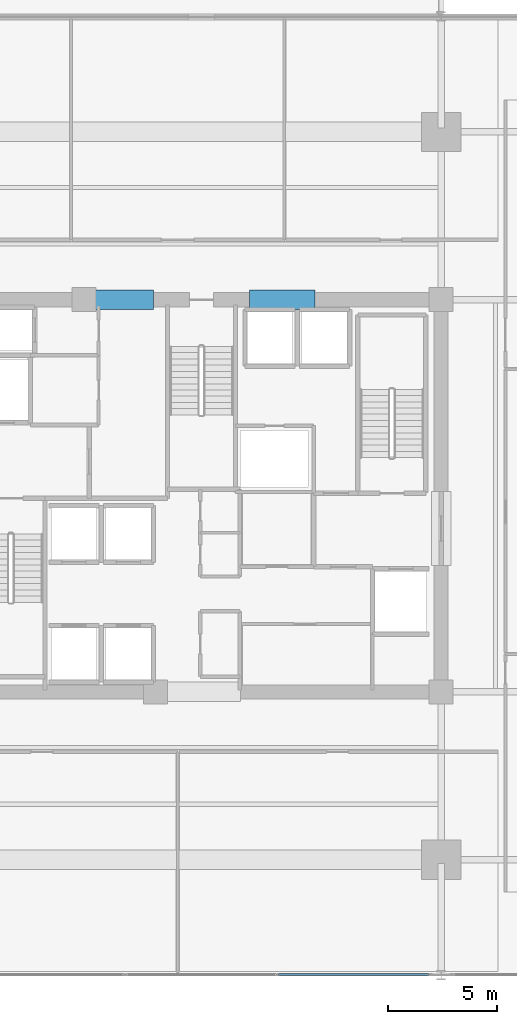
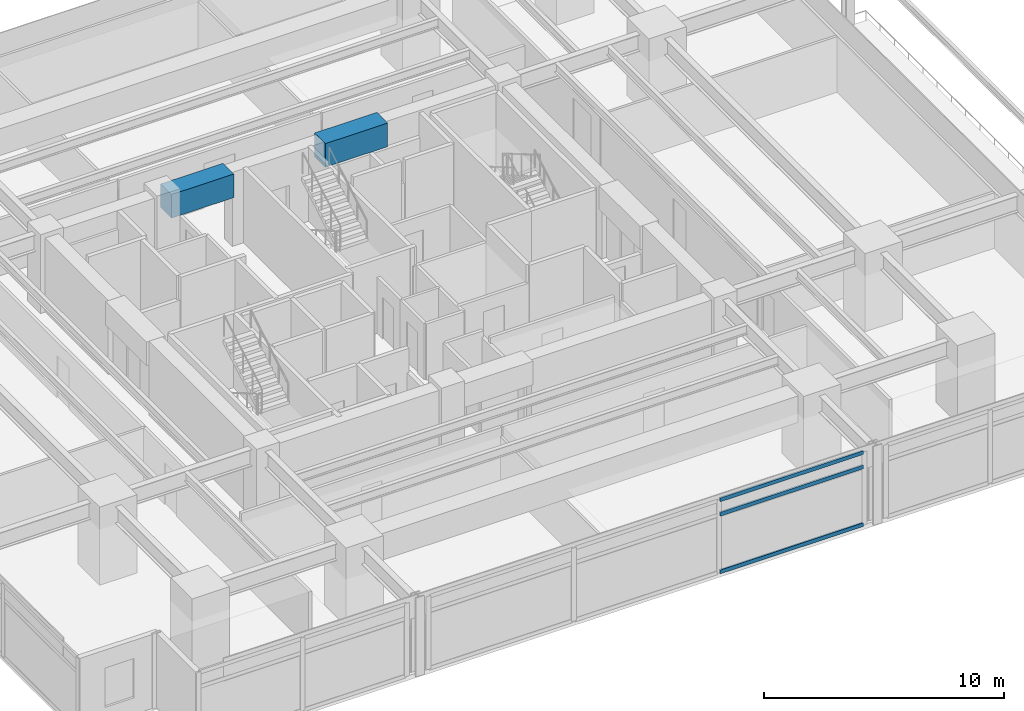
# One storey, part 8 of 22: 3 members, 2 beams, 1 element without a shape of its own.
"""IFC4 building model written with IfcOpenShell, lengths in metres."""

from ifc_helpers import new_model, si_unit, direction, frame, origin, origin_2d, place, context, subcontext, project, spatial, rectangle, hollow_rectangle, extrude, material, material_profile, profile_set, type_object, element, aggregate, save


model = new_model("IFC4")

# Units and contexts
model_context = context("Model", 3, precision=1e-05, world=origin(), true_north=direction((0.0, 1.0)))
body_context = subcontext(model_context, "Body", "Model", "MODEL_VIEW")
ifc_project = project(units=[si_unit("LENGTHUNIT", "METRE"), si_unit("AREAUNIT", "SQUARE_METRE"), si_unit("VOLUMEUNIT", "CUBIC_METRE"), si_unit("PLANEANGLEUNIT", "RADIAN"), si_unit("MASSUNIT", "GRAM", prefix="KILO")], contexts=[model_context])

# Site, building, storey
site_placement = place(None, origin())
site = spatial("IfcSite", under=ifc_project, at=site_placement, CompositionType="ELEMENT")
building_placement = place(site_placement, origin())
building = spatial("IfcBuilding", under=site, at=building_placement, Name="Kovane Verandah Tower", CompositionType="ELEMENT")
storey_placement = place(building_placement, frame((0.0, 0.0, 43.60009765625)))
storey = spatial("IfcBuildingStorey", under=building, at=storey_placement, Name="L09", CompositionType="ELEMENT", Elevation=43.60009765625)

# Beams
ifc_material_1 = material(Name="Concrete C80/95", Category="concrete")
ifc_material_profile_1 = material_profile(ifc_material_1, rectangle(XDim=0.89990234375, YDim=1.199951171875, at=origin_2d()), Name="RCB900x1200")
ifc_profile_set_1 = profile_set([ifc_material_profile_1], Name="Concrete C80/95")
beam_type = type_object("IfcBeamType", Name="BM-LINTEL-900x1200", PredefinedType="LINTEL", material=ifc_profile_set_1)
for number, where, z_axis, x_axis, name in (
    (1, (34.800048828125, 36.5, 3.159912109375), (1.0, 0.0, 0.0), (0.0, 1.0, 0.0), "L09 Core Coupling Lintel CL-N1"),
    (2, (42.199951171875, 36.5, 3.159912109375), (1.0, 0.0, 0.0), (0.0, 1.0, 0.0), "L09 Core Coupling Lintel CL-N2"),
):
    element("IfcBeam", number, at=place(storey_placement, frame(where, z_axis=z_axis, x_axis=x_axis)), inside=storey, type_object=beam_type, Name=name, PredefinedType="LINTEL", context=body_context, shape_type="SweptSolid", body=[
        extrude(rectangle(XDim=0.89990234375, YDim=1.199951171875, at=origin_2d()), origin(), (0.0, 0.0, 1.0), 3.0),
    ])

# Curtain wall, members
ifc_material_2 = material(Name="Champagne Anodised Aluminium Frame with Low-E Clear Laminated Glass", Category="aluminium")
curtain_wall_type = type_object("IfcCurtainWallType", Name="CW-SYS-02-LOW", PredefinedType="NOTDEFINED", material=ifc_material_2)
curtain_wall_placement = place(storey_placement, origin())
curtain_wall = element("IfcCurtainWall", 3, at=curtain_wall_placement, inside=storey, type_object=curtain_wall_type, Name="L09 S Unitised Curtain Wall-2", PredefinedType="NOTDEFINED")
ifc_material_3 = material(Name="Champagne Anodised Aluminium 6063-T6", Category="aluminium")
ifc_material_profile_2 = material_profile(ifc_material_3, hollow_rectangle(XDim=0.0849609375, YDim=0.18994140625, WallThickness=0.00390625, at=origin_2d()), Name="AL85x190x4")
ifc_profile_set_2 = profile_set([ifc_material_profile_2], Name="Champagne Anodised Aluminium 6063-T6")
member_type = type_object("IfcMemberType", Name="CW-TRN-85x190", PredefinedType="USERDEFINED", material=ifc_profile_set_2)
member_1_placement = place(storey_placement, frame((43.543212890625, 5.52685546875, 0.0498046875), z_axis=(1.0, 0.0, 0.0), x_axis=(0.0, 1.0, 0.0)))
member_1 = element("IfcMember", 4, at=member_1_placement, type_object=member_type, Name="L09 S Unitised Curtain Wall-2 Transom TB Bay 3", ObjectType="TRANSOM", PredefinedType="USERDEFINED", context=body_context, shape_type="SweptSolid", body=[
    extrude(hollow_rectangle(XDim=0.0849609375, YDim=0.18994140625, WallThickness=0.00390625, at=origin_2d()), origin(), (0.0, 0.0, 1.0), 6.88671875),
])
member_2_placement = place(storey_placement, frame((43.543212890625, 5.52685546875, 2.97998046875), z_axis=(1.0, 0.0, 0.0), x_axis=(0.0, 1.0, 0.0)))
member_2 = element("IfcMember", 5, at=member_2_placement, type_object=member_type, Name="L09 S Unitised Curtain Wall-2 Transom TM Bay 3", ObjectType="TRANSOM", PredefinedType="USERDEFINED", context=body_context, shape_type="SweptSolid", body=[
    extrude(hollow_rectangle(XDim=0.0849609375, YDim=0.18994140625, WallThickness=0.00390625, at=origin_2d()), origin(), (0.0, 0.0, 1.0), 6.88671875),
])
member_3_placement = place(storey_placement, frame((43.543212890625, 5.52685546875, 3.7099609375), z_axis=(1.0, 0.0, 0.0), x_axis=(0.0, 1.0, 0.0)))
member_3 = element("IfcMember", 6, at=member_3_placement, type_object=member_type, Name="L09 S Unitised Curtain Wall-2 Transom TT Bay 3", ObjectType="TRANSOM", PredefinedType="USERDEFINED", context=body_context, shape_type="SweptSolid", body=[
    extrude(hollow_rectangle(XDim=0.0849609375, YDim=0.18994140625, WallThickness=0.00390625, at=origin_2d()), origin(), (0.0, 0.0, 1.0), 6.88671875),
])
aggregate(curtain_wall, [member_1, member_2, member_3])

save(model, "model.ifc")
